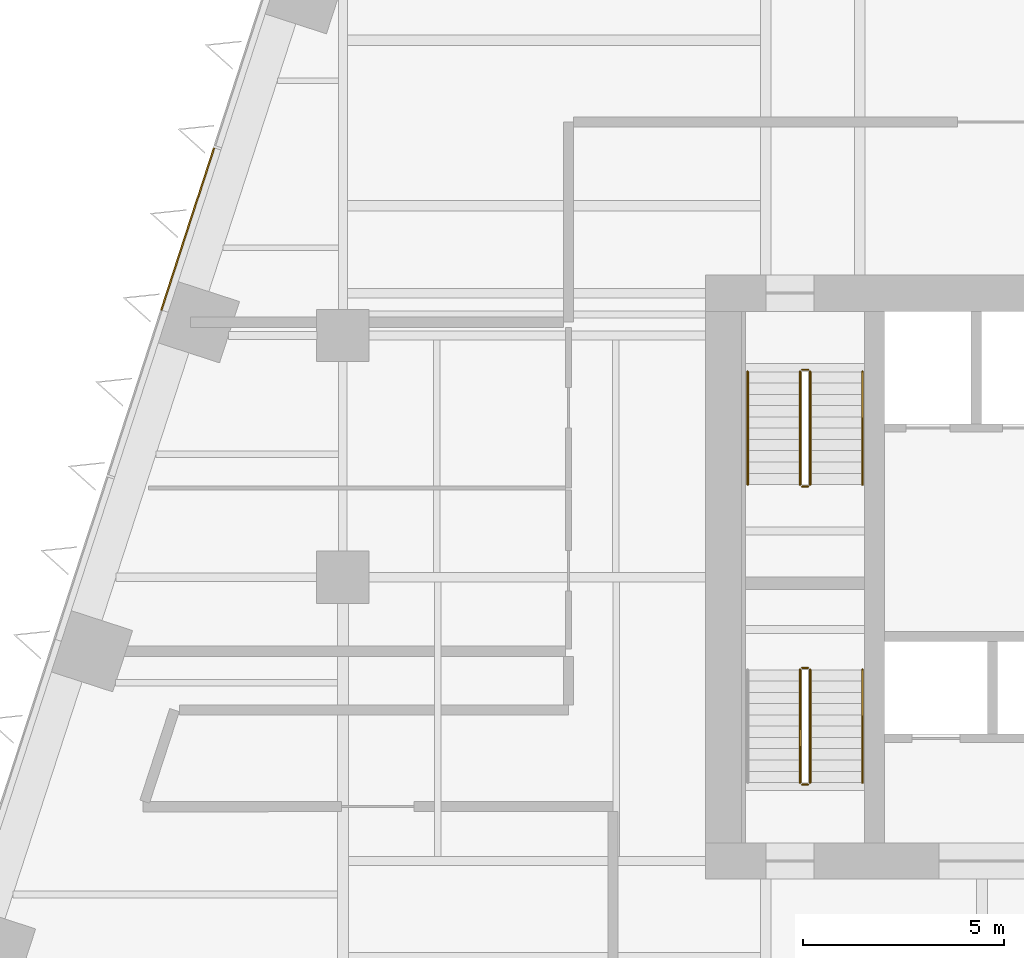
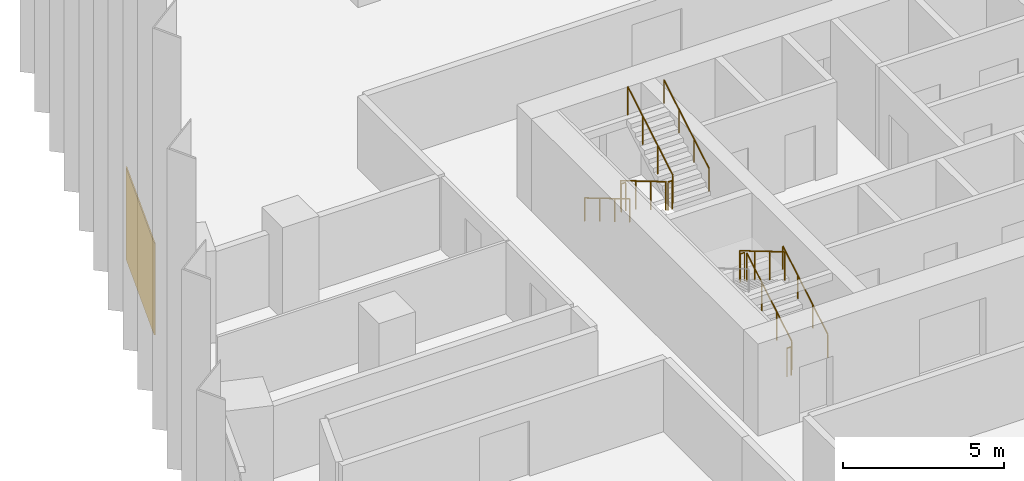
# One storey, part 19 of 24: 11 railings, 1 covering, 1 element without a shape of its own.
"""IFC4 building model written with IfcOpenShell, lengths in metres."""

from ifc_helpers import new_model, si_unit, direction, frame, origin, origin_2d, place, context, subcontext, project, spatial, rectangle, circle, extrude, material, layer, layer_set, type_object, element, aggregate, save


model = new_model("IFC4")

# Units and contexts
model_context = context("Model", 3, precision=1e-05, world=origin(), true_north=direction((0.0, 1.0)))
body_context = subcontext(model_context, "Body", "Model", "MODEL_VIEW")
ifc_project = project(units=[si_unit("LENGTHUNIT", "METRE"), si_unit("AREAUNIT", "SQUARE_METRE"), si_unit("VOLUMEUNIT", "CUBIC_METRE"), si_unit("PLANEANGLEUNIT", "RADIAN"), si_unit("MASSUNIT", "GRAM", prefix="KILO")], contexts=[model_context])

# Site, building, storey
site_placement = place(None, origin())
site = spatial("IfcSite", under=ifc_project, at=site_placement, CompositionType="ELEMENT")
building_placement = place(site_placement, origin())
building = spatial("IfcBuilding", under=site, at=building_placement, Name="Isthmus Gate Tower", CompositionType="ELEMENT")
storey_placement = place(building_placement, frame((0.0, 0.0, 80.64990234375)))
storey = spatial("IfcBuildingStorey", under=building, at=storey_placement, Name="L18", CompositionType="ELEMENT", Elevation=80.64990234375)

# Curtain wall, covering
ifc_material_1 = material(Name="Aluminium, pale champagne anodised", Category="aluminium")
ifc_layer_1 = layer(ifc_material_1, 0.199951171875)
ifc_layer_set_1 = layer_set([ifc_layer_1], Name="CW-1 UNITISED CURTAIN WALL 200 DEEP")
curtain_wall_type = type_object("IfcCurtainWallType", Name="CW-1 UNITISED CURTAIN WALL 200 DEEP", PredefinedType="NOTDEFINED", material=ifc_layer_set_1)
curtain_wall_placement = place(storey_placement, origin())
curtain_wall = element("IfcCurtainWall", 1, at=curtain_wall_placement, inside=storey, type_object=curtain_wall_type, Name="CW-1 NW L18", PredefinedType="NOTDEFINED")
ifc_material_2 = material(Name="Aluminium composite panel, pale champagne anodised", Category="aluminium")
ifc_layer_2 = layer(ifc_material_2, 0.0400390625)
ifc_layer_set_2 = layer_set([ifc_layer_2], Name="CW-1 PALE METAL PANEL 40")
covering_type = type_object("IfcCoveringType", Name="CW-1 PALE METAL PANEL 40", PredefinedType="CLADDING", material=ifc_layer_set_2)
covering_placement = place(storey_placement, frame((-27.8544921875, 16.146484375, 0.0), z_axis=(0.0, 0.0, 1.0), x_axis=(-0.309016994375, -0.951056516295, 0.0)))
covering = element("IfcCovering", 2, at=covering_placement, type_object=covering_type, Name="CW-1 pale metal panel", PredefinedType="CLADDING", context=body_context, shape_type="SweptSolid", body=[
    extrude(rectangle(XDim=4.234619140625, YDim=0.0400390625, at=origin_2d()), origin(), (0.0, 0.0, 1.0), 3.5),
])
aggregate(curtain_wall, [covering])

# Railings
ifc_material_3 = material(Name="Stainless steel balustrade", Category="steel")
railing_type_1 = type_object("IfcRailingType", Name="STAIR GUARD 1100", PredefinedType="GUARDRAIL", material=ifc_material_3)
railing_1_placement = place(storey_placement, frame((-12.64990234375, 12.60009765625, 0.166015625)))
element("IfcRailing", 3, at=railing_1_placement, inside=storey, type_object=railing_type_1, Name="L18 ST1 stair guard 1", PredefinedType="GUARDRAIL", context=body_context, shape_type="SweptSolid", body=[
    extrude(circle(Radius=0.02392578125, at=origin_2d()), frame((0.0, 0.0, 1.076171875), z_axis=(0.0, -0.860306154799, 0.50977771628), x_axis=(1.0, 0.0, 0.0)), (0.0, 0.0, 1.0), 3.254638671875),
    extrude(circle(Radius=0.02099609375, at=origin_2d()), origin(), (0.0, 0.0, 1.0), 1.052001953125),
    extrude(circle(Radius=0.02099609375, at=origin_2d()), frame((0.0, -0.933349609375, 0.552978515625)), (0.0, 0.0, 1.0), 1.052001953125),
    extrude(circle(Radius=0.02099609375, at=origin_2d()), frame((0.0, -1.86669921875, 1.106201171875)), (0.0, 0.0, 1.0), 1.052001953125),
    extrude(circle(Radius=0.02099609375, at=origin_2d()), frame((0.0, -2.800048828125, 1.6591796875)), (0.0, 0.0, 1.0), 1.052001953125),
])
railing_2_placement = place(storey_placement, frame((-12.60009765625, 9.75, 1.8251953125)))
element("IfcRailing", 4, at=railing_2_placement, inside=storey, type_object=railing_type_1, Name="L18 ST1 stair guard 2", PredefinedType="GUARDRAIL", context=body_context, shape_type="SweptSolid", body=[
    extrude(circle(Radius=0.02392578125, at=origin_2d()), frame((0.0, 0.0, 1.076171875), z_axis=(1.0, 0.0, 0.0), x_axis=(0.0, 1.0, 0.0)), (0.0, 0.0, 1.0), 0.150146484375),
    extrude(circle(Radius=0.02099609375, at=origin_2d()), origin(), (0.0, 0.0, 1.0), 1.052001953125),
    extrude(circle(Radius=0.02099609375, at=origin_2d()), frame((0.150146484375, 0.0, 0.0)), (0.0, 0.0, 1.0), 1.052001953125),
])
railing_3_placement = place(storey_placement, frame((-12.39990234375, 9.800048828125, 1.990966796875)))
element("IfcRailing", 5, at=railing_3_placement, inside=storey, type_object=railing_type_1, Name="L18 ST1 stair guard 3", PredefinedType="GUARDRAIL", context=body_context, shape_type="SweptSolid", body=[
    extrude(circle(Radius=0.02392578125, at=origin_2d()), frame((0.0, 0.0, 1.076171875), z_axis=(0.0, 0.860306154799, 0.50977771628), x_axis=(-1.0, 0.0, 0.0)), (0.0, 0.0, 1.0), 3.254638671875),
    extrude(circle(Radius=0.02099609375, at=origin_2d()), origin(), (0.0, 0.0, 1.0), 1.052001953125),
    extrude(circle(Radius=0.02099609375, at=origin_2d()), frame((0.0, 0.933349609375, 0.552978515625)), (0.0, 0.0, 1.0), 1.052001953125),
    extrude(circle(Radius=0.02099609375, at=origin_2d()), frame((0.0, 1.86669921875, 1.106201171875)), (0.0, 0.0, 1.0), 1.052001953125),
    extrude(circle(Radius=0.02099609375, at=origin_2d()), frame((0.0, 2.800048828125, 1.6591796875)), (0.0, 0.0, 1.0), 1.052001953125),
])
railing_4_placement = place(storey_placement, frame((-12.60009765625, 12.64990234375, 0.0)))
element("IfcRailing", 6, at=railing_4_placement, inside=storey, type_object=railing_type_1, Name="L18 ST1 stair guard 4", PredefinedType="GUARDRAIL", context=body_context, shape_type="SweptSolid", body=[
    extrude(circle(Radius=0.02392578125, at=origin_2d()), frame((0.0, 0.0, 1.076171875), z_axis=(1.0, 0.0, 0.0), x_axis=(0.0, 1.0, 0.0)), (0.0, 0.0, 1.0), 0.150146484375),
    extrude(circle(Radius=0.02099609375, at=origin_2d()), origin(), (0.0, 0.0, 1.0), 1.052001953125),
    extrude(circle(Radius=0.02099609375, at=origin_2d()), frame((0.150146484375, 0.0, 0.0)), (0.0, 0.0, 1.0), 1.052001953125),
])
railing_5_placement = place(storey_placement, frame((-12.39990234375, 2.39990234375, 0.166015625)))
element("IfcRailing", 7, at=railing_5_placement, inside=storey, type_object=railing_type_1, Name="L18 ST7 stair guard 1", PredefinedType="GUARDRAIL", context=body_context, shape_type="SweptSolid", body=[
    extrude(circle(Radius=0.02392578125, at=origin_2d()), frame((0.0, 0.0, 1.076171875), z_axis=(0.0, 0.860306154799, 0.50977771628), x_axis=(-1.0, 0.0, 0.0)), (0.0, 0.0, 1.0), 3.254638671875),
    extrude(circle(Radius=0.02099609375, at=origin_2d()), origin(), (0.0, 0.0, 1.0), 1.052001953125),
    extrude(circle(Radius=0.02099609375, at=origin_2d()), frame((0.0, 0.933349609375, 0.552978515625)), (0.0, 0.0, 1.0), 1.052001953125),
    extrude(circle(Radius=0.02099609375, at=origin_2d()), frame((0.0, 1.86669921875, 1.106201171875)), (0.0, 0.0, 1.0), 1.052001953125),
    extrude(circle(Radius=0.02099609375, at=origin_2d()), frame((0.0, 2.800048828125, 1.6591796875)), (0.0, 0.0, 1.0), 1.052001953125),
])
railing_6_placement = place(storey_placement, frame((-12.449951171875, 5.25, 1.8251953125)))
element("IfcRailing", 8, at=railing_6_placement, inside=storey, type_object=railing_type_1, Name="L18 ST7 stair guard 2", PredefinedType="GUARDRAIL", context=body_context, shape_type="SweptSolid", body=[
    extrude(circle(Radius=0.02392578125, at=origin_2d()), frame((0.0, 0.0, 1.076171875), z_axis=(-1.0, 0.0, 0.0), x_axis=(0.0, -1.0, 0.0)), (0.0, 0.0, 1.0), 0.150146484375),
    extrude(circle(Radius=0.02099609375, at=origin_2d()), origin(), (0.0, 0.0, 1.0), 1.052001953125),
    extrude(circle(Radius=0.02099609375, at=origin_2d()), frame((-0.150146484375, 0.0, 0.0)), (0.0, 0.0, 1.0), 1.052001953125),
])
railing_7_placement = place(storey_placement, frame((-12.64990234375, 5.199951171875, 1.990966796875)))
element("IfcRailing", 9, at=railing_7_placement, inside=storey, type_object=railing_type_1, Name="L18 ST7 stair guard 3", PredefinedType="GUARDRAIL", context=body_context, shape_type="SweptSolid", body=[
    extrude(circle(Radius=0.02392578125, at=origin_2d()), frame((0.0, 0.0, 1.076171875), z_axis=(0.0, -0.860306154799, 0.50977771628), x_axis=(1.0, 0.0, 0.0)), (0.0, 0.0, 1.0), 3.254638671875),
    extrude(circle(Radius=0.02099609375, at=origin_2d()), origin(), (0.0, 0.0, 1.0), 1.052001953125),
    extrude(circle(Radius=0.02099609375, at=origin_2d()), frame((0.0, -0.933349609375, 0.552978515625)), (0.0, 0.0, 1.0), 1.052001953125),
    extrude(circle(Radius=0.02099609375, at=origin_2d()), frame((0.0, -1.86669921875, 1.106201171875)), (0.0, 0.0, 1.0), 1.052001953125),
    extrude(circle(Radius=0.02099609375, at=origin_2d()), frame((0.0, -2.800048828125, 1.6591796875)), (0.0, 0.0, 1.0), 1.052001953125),
])
railing_8_placement = place(storey_placement, frame((-12.449951171875, 2.35009765625, 0.0)))
element("IfcRailing", 10, at=railing_8_placement, inside=storey, type_object=railing_type_1, Name="L18 ST7 stair guard 4", PredefinedType="GUARDRAIL", context=body_context, shape_type="SweptSolid", body=[
    extrude(circle(Radius=0.02392578125, at=origin_2d()), frame((0.0, 0.0, 1.076171875), z_axis=(-1.0, 0.0, 0.0), x_axis=(0.0, -1.0, 0.0)), (0.0, 0.0, 1.0), 0.150146484375),
    extrude(circle(Radius=0.02099609375, at=origin_2d()), origin(), (0.0, 0.0, 1.0), 1.052001953125),
    extrude(circle(Radius=0.02099609375, at=origin_2d()), frame((-0.150146484375, 0.0, 0.0)), (0.0, 0.0, 1.0), 1.052001953125),
])
ifc_material_4 = material(Name="Stainless steel handrail", Category="steel")
railing_type_2 = type_object("IfcRailingType", Name="STAIR HANDRAIL 900", PredefinedType="HANDRAIL", material=ifc_material_4)
railing_9_placement = place(storey_placement, frame((-13.949951171875, 12.60009765625, 0.166015625)))
element("IfcRailing", 11, at=railing_9_placement, inside=storey, type_object=railing_type_2, Name="L18 ST1 stair handrail 1", PredefinedType="HANDRAIL", context=body_context, shape_type="SweptSolid", body=[
    extrude(circle(Radius=0.02392578125, at=origin_2d()), frame((0.0, 0.0, 0.8759765625), z_axis=(0.0, -0.860306154799, 0.50977771628), x_axis=(1.0, 0.0, 0.0)), (0.0, 0.0, 1.0), 3.254638671875),
    extrude(circle(Radius=0.02099609375, at=origin_2d()), origin(), (0.0, 0.0, 1.0), 0.851806640625),
    extrude(circle(Radius=0.02099609375, at=origin_2d()), frame((0.0, -0.933349609375, 0.552978515625)), (0.0, 0.0, 1.0), 0.851806640625),
    extrude(circle(Radius=0.02099609375, at=origin_2d()), frame((0.0, -1.86669921875, 1.106201171875)), (0.0, 0.0, 1.0), 0.851806640625),
    extrude(circle(Radius=0.02099609375, at=origin_2d()), frame((0.0, -2.800048828125, 1.6591796875)), (0.0, 0.0, 1.0), 0.851806640625),
])
for number, where, name in (
    (12, (-11.10009765625, 9.800048828125, 1.990966796875), "L18 ST1 stair handrail 2"),
    (13, (-11.10009765625, 2.39990234375, 0.166015625), "L18 ST7 stair handrail 1"),
):
    element("IfcRailing", number, at=place(storey_placement, frame(where)), inside=storey, type_object=railing_type_2, Name=name, PredefinedType="HANDRAIL", context=body_context, shape_type="SweptSolid", body=[
        extrude(circle(Radius=0.02392578125, at=origin_2d()), frame((0.0, 0.0, 0.8759765625), z_axis=(0.0, 0.860306154799, 0.50977771628), x_axis=(-1.0, 0.0, 0.0)), (0.0, 0.0, 1.0), 3.254638671875),
        extrude(circle(Radius=0.02099609375, at=origin_2d()), origin(), (0.0, 0.0, 1.0), 0.851806640625),
        extrude(circle(Radius=0.02099609375, at=origin_2d()), frame((0.0, 0.933349609375, 0.552978515625)), (0.0, 0.0, 1.0), 0.851806640625),
        extrude(circle(Radius=0.02099609375, at=origin_2d()), frame((0.0, 1.86669921875, 1.106201171875)), (0.0, 0.0, 1.0), 0.851806640625),
        extrude(circle(Radius=0.02099609375, at=origin_2d()), frame((0.0, 2.800048828125, 1.6591796875)), (0.0, 0.0, 1.0), 0.851806640625),
    ])

save(model, "model.ifc")
